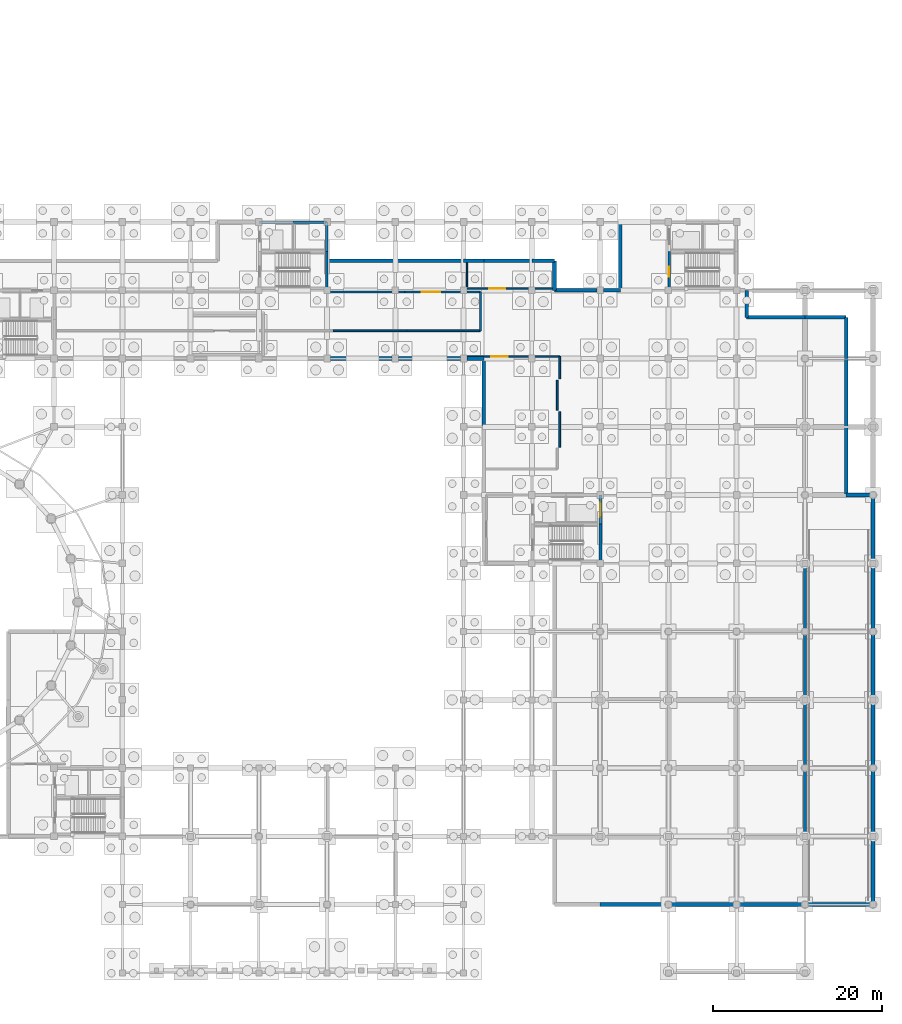
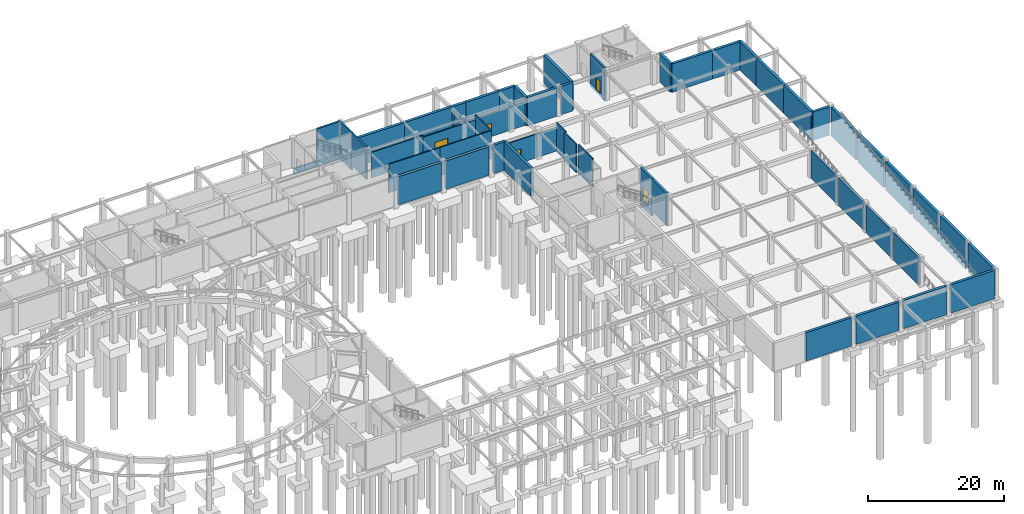
# One storey, part 19 of 26: 54 walls, 5 doors, 5 openings.
"""IFC4 building model written with IfcOpenShell, lengths in metres."""

from ifc_helpers import new_model, si_unit, direction, frame, frame_2d, origin, place, context, subcontext, project, spatial, rectangle, extrude, material, layer, layer_set, type_object, element, fill, save


model = new_model("IFC4")

# Units and contexts
model_context = context("Model", 3, precision=1e-05, world=origin(), true_north=direction((0.0, 1.0)))
body_context = subcontext(model_context, "Body", "Model", "MODEL_VIEW")
ifc_project = project(units=[si_unit("LENGTHUNIT", "METRE"), si_unit("AREAUNIT", "SQUARE_METRE"), si_unit("VOLUMEUNIT", "CUBIC_METRE"), si_unit("PLANEANGLEUNIT", "RADIAN"), si_unit("MASSUNIT", "GRAM", prefix="KILO")], contexts=[model_context])

# Site, building, storey
site_placement = place(None, origin())
site = spatial("IfcSite", under=ifc_project, at=site_placement, CompositionType="ELEMENT")
building_placement = place(site_placement, origin())
building = spatial("IfcBuilding", under=site, at=building_placement, Name="Parian Resonance Hall", CompositionType="ELEMENT")
storey_placement = place(building_placement, frame((0.0, 0.0, -5.39990234375)))
storey = spatial("IfcBuildingStorey", under=building, at=storey_placement, Name="B1", CompositionType="ELEMENT", Elevation=-5.39990234375)

# Walls
ifc_material_1 = material(Name="Concrete C40/50", Category="concrete")
ifc_layer_1 = layer(ifc_material_1, 0.31005859375)
ifc_layer_set_1 = layer_set([ifc_layer_1], Name="Concrete C40/50")
wall_type_1 = type_object("IfcWallType", Name="CW310", PredefinedType="SHEAR", material=ifc_layer_set_1)
wall_1_placement = place(storey_placement, frame((97.169921875, 85.610107421875, -1.35009765625), z_axis=(0.0, 0.0, 1.0), x_axis=(0.0, 1.0, 0.0)))
element("IfcWall", 1, at=wall_1_placement, inside=storey, type_object=wall_type_1, Name="Lift pit wall K5-2", PredefinedType="SHEAR", context=body_context, shape_type="SweptSolid", body=[
    extrude(rectangle(XDim=3.489990234375, YDim=0.31005859375, at=frame_2d((1.7451171875, 0.0))), origin(), (0.0, 0.0, 1.0), 0.949951171875),
])
wall_2_placement = place(storey_placement, frame((97.169921875, 89.10009765625, -1.35009765625), z_axis=(0.0, 0.0, 1.0), x_axis=(-1.0, 0.0, 0.0)))
element("IfcWall", 2, at=wall_2_placement, inside=storey, type_object=wall_type_1, Name="Lift pit wall K5-3", PredefinedType="SHEAR", context=body_context, shape_type="SweptSolid", body=[
    extrude(rectangle(XDim=7.97998046875, YDim=0.31005859375, at=frame_2d((3.989990234375, 0.0))), origin(), (0.0, 0.0, 1.0), 0.949951171875),
])
wall_3_placement = place(storey_placement, frame((93.14990234375, 89.10009765625, -0.400146484375), z_axis=(0.0, 0.0, 1.0), x_axis=(1.0, 0.0, 0.0)))
element("IfcWall", 3, at=wall_3_placement, inside=storey, type_object=wall_type_1, Name="Core K5 north-east shaft wall B1", PredefinedType="SHEAR", context=body_context, shape_type="SweptSolid", body=[
    extrude(rectangle(XDim=4.02001953125, YDim=0.31005859375, at=frame_2d((2.010009765625, 0.0))), origin(), (0.0, 0.0, 1.0), 5.800048828125),
])
wall_4_placement = place(storey_placement, frame((97.169921875, 89.10009765625, -0.400146484375), z_axis=(0.0, 0.0, 1.0), x_axis=(0.0, -1.0, 0.0)))
element("IfcWall", 4, at=wall_4_placement, inside=storey, type_object=wall_type_1, Name="Core K5 east shaft wall B1", PredefinedType="SHEAR", context=body_context, shape_type="SweptSolid", body=[
    extrude(rectangle(XDim=3.489990234375, YDim=0.31005859375, at=frame_2d((1.7451171875, 0.0))), origin(), (0.0, 0.0, 1.0), 5.800048828125),
])
wall_5_placement = place(storey_placement, frame((97.169921875, 85.610107421875, -0.400146484375), z_axis=(0.0, 0.0, 1.0), x_axis=(0.0, -1.0, 0.0)))
element("IfcWall", 5, at=wall_5_placement, inside=storey, type_object=wall_type_1, Name="Core K5 stairwell east wall B1", PredefinedType="SHEAR", context=body_context, shape_type="SweptSolid", body=[
    extrude(rectangle(XDim=4.360107421875, YDim=0.31005859375, at=frame_2d((2.18017578125, 0.0))), origin(), (0.0, 0.0, 1.0), 5.800048828125),
])

# Wall, opening, door
wall_6_placement = place(storey_placement, frame((137.7900390625, 81.25, -0.400146484375), z_axis=(0.0, 0.0, 1.0), x_axis=(0.0, 1.0, 0.0)))
wall_6 = element("IfcWall", 6, at=wall_6_placement, inside=storey, type_object=wall_type_1, Name="Core K6 stairwell west shear wall B1", PredefinedType="SHEAR", context=body_context, shape_type="SweptSolid", body=[
    extrude(rectangle(XDim=4.360107421875, YDim=0.31005859375, at=frame_2d((2.18017578125, 0.0))), origin(), (0.0, 0.0, 1.0), 5.800048828125),
])
opening_1_placement = place(wall_6_placement, frame((1.35009765625, 0.0, 0.39990234375)))
opening_1 = element("IfcOpeningElement", 7, at=opening_1_placement, cuts=wall_6, Name="Opening FD-01", PredefinedType="OPENING", context=body_context, shape_type="SweptSolid", body=[
    extrude(rectangle(XDim=1.199951171875, YDim=2.25, at=frame_2d((0.60009765625, 1.125))), frame((0.0, 0.1650390625, 0.0), z_axis=(0.0, -1.0, 0.0), x_axis=(1.0, 0.0, 0.0)), (0.0, 0.0, 1.0), 0.330078125),
])
ifc_material_2 = material(Name="Fire-rated acoustic steel and narra timber door", Category="steel")
door_type_1 = type_object("IfcDoorType", Name="FD-01", OperationType="NOTDEFINED", PredefinedType="DOOR", material=ifc_material_2)
door_1_placement = place(opening_1_placement, origin())
door_1 = element("IfcDoor", 8, at=door_1_placement, inside=storey, type_object=door_type_1, Name="Exit stair ST-06 fire door B1", OperationType="SINGLE_SWING_LEFT", OverallHeight=2.25, OverallWidth=1.199951171875, PredefinedType="DOOR", context=body_context, shape_type="SweptSolid", body=[
    extrude(rectangle(XDim=1.199951171875, YDim=2.25, at=frame_2d((0.60009765625, 1.125))), frame((0.0, 0.02490234375, 0.0), z_axis=(0.0, -1.0, 0.0), x_axis=(1.0, 0.0, 0.0)), (0.0, 0.0, 1.0), 0.050048828125),
])
fill(opening_1, door_1)

# Wall
ifc_material_3 = material(Name="Concrete C40/50", Category="concrete")
ifc_layer_2 = layer(ifc_material_3, 0.35009765625)
ifc_layer_set_2 = layer_set([ifc_layer_2], Name="Concrete C40/50")
wall_type_2 = type_object("IfcWallType", Name="CW350", PredefinedType="SHEAR", material=ifc_layer_set_2)
wall_7_placement = place(storey_placement, frame((129.6298828125, 53.25, -1.35009765625), z_axis=(0.0, 0.0, 1.0), x_axis=(0.0, 1.0, 0.0)))
element("IfcWall", 9, at=wall_7_placement, inside=storey, type_object=wall_type_2, Name="Lift pit wall K2-2", PredefinedType="SHEAR", context=body_context, shape_type="SweptSolid", body=[
    extrude(rectangle(XDim=3.449951171875, YDim=0.35009765625, at=frame_2d((1.72509765625, 0.0))), origin(), (0.0, 0.0, 1.0), 0.949951171875),
])

# Wall, opening, door
wall_8_placement = place(storey_placement, frame((129.6298828125, 56.699951171875, -0.400146484375), z_axis=(0.0, 0.0, 1.0), x_axis=(0.0, -1.0, 0.0)))
wall_8 = element("IfcWall", 10, at=wall_8_placement, inside=storey, type_object=wall_type_2, Name="Core K2 east shaft wall B1", PredefinedType="SHEAR", context=body_context, shape_type="SweptSolid", body=[
    extrude(rectangle(XDim=3.449951171875, YDim=0.35009765625, at=frame_2d((1.72509765625, 0.0))), origin(), (0.0, 0.0, 1.0), 5.800048828125),
])
opening_2_placement = place(wall_8_placement, frame((0.824951171875, 0.0, 0.39990234375)))
opening_2 = element("IfcOpeningElement", 11, at=opening_2_placement, cuts=wall_8, Name="Opening LD-02", PredefinedType="OPENING", context=body_context, shape_type="SweptSolid", body=[
    extrude(rectangle(XDim=1.800048828125, YDim=2.39990234375, at=frame_2d((0.89990234375, 1.199951171875))), frame((0.0, 0.18505859375, 0.0), z_axis=(0.0, -1.0, 0.0), x_axis=(1.0, 0.0, 0.0)), (0.0, 0.0, 1.0), 0.3701171875),
])
ifc_material_4 = material(Name="Stainless steel and bronze elevator cab", Category="steel")
door_type_2 = type_object("IfcDoorType", Name="DOOR-LIFT-1800x2400", OperationType="SLIDING_TO_LEFT", PredefinedType="DOOR", material=ifc_material_4)
door_2_placement = place(opening_2_placement, origin())
door_2 = element("IfcDoor", 12, at=door_2_placement, inside=storey, type_object=door_type_2, Name="Lift LF-07 sliding landing door B1", OperationType="SLIDING_TO_LEFT", OverallHeight=2.39990234375, OverallWidth=1.800048828125, PredefinedType="DOOR", context=body_context, shape_type="SweptSolid", body=[
    extrude(rectangle(XDim=1.800048828125, YDim=2.39990234375, at=frame_2d((0.89990234375, 1.199951171875))), frame((0.0, 0.02490234375, 0.0), z_axis=(0.0, -1.0, 0.0), x_axis=(1.0, 0.0, 0.0)), (0.0, 0.0, 1.0), 0.050048828125),
])
fill(opening_2, door_2)

# Walls
wall_9_placement = place(storey_placement, frame((129.6298828125, 53.25, -0.400146484375), z_axis=(0.0, 0.0, 1.0), x_axis=(0.0, -1.0, 0.0)))
element("IfcWall", 13, at=wall_9_placement, inside=storey, type_object=wall_type_2, Name="Core K2 stairwell east wall B1", PredefinedType="SHEAR", context=body_context, shape_type="SweptSolid", body=[
    extrude(rectangle(XDim=4.419921875, YDim=0.35009765625, at=frame_2d((2.2099609375, 0.0))), origin(), (0.0, 0.0, 1.0), 5.800048828125),
])
ifc_material_5 = material(Name="Concrete C35/45 waterproofed retaining wall", Category="concrete")
ifc_layer_3 = layer(ifc_material_5, 0.449951171875)
ifc_layer_set_3 = layer_set([ifc_layer_3], Name="Concrete C35/45 waterproofed retaining wall")
wall_type_3 = type_object("IfcWallType", Name="EW-RET-450", PredefinedType="USERDEFINED", material=ifc_layer_set_3)
wall_10_placement = place(storey_placement, frame((129.60009765625, 8.10009765625, 0.0), z_axis=(0.0, 0.0, 1.0), x_axis=(1.0, 0.0, 0.0)))
element("IfcWall", 14, at=wall_10_placement, inside=storey, type_object=wall_type_3, Name="Perimeter closure wall B1", ObjectType="RETAINING WALL", PredefinedType="USERDEFINED", context=body_context, shape_type="SweptSolid", body=[
    extrude(rectangle(XDim=7.75, YDim=0.449951171875, at=frame_2d((3.875, 0.0))), origin(), (0.0, 0.0, 1.0), 5.099853515625),
])
wall_11_placement = place(storey_placement, frame((138.050048828125, 8.10009765625, 0.0), z_axis=(0.0, 0.0, 1.0), x_axis=(1.0, 0.0, 0.0)))
element("IfcWall", 15, at=wall_11_placement, inside=storey, type_object=wall_type_3, Name="Perimeter closure wall B1", ObjectType="RETAINING WALL", PredefinedType="USERDEFINED", context=body_context, shape_type="SweptSolid", body=[
    extrude(rectangle(XDim=7.39990234375, YDim=0.449951171875, at=frame_2d((3.699951171875, 0.0))), origin(), (0.0, 0.0, 1.0), 5.099853515625),
])
wall_12_placement = place(storey_placement, frame((146.14990234375, 8.10009765625, 0.0), z_axis=(0.0, 0.0, 1.0), x_axis=(1.0, 0.0, 0.0)))
element("IfcWall", 16, at=wall_12_placement, inside=storey, type_object=wall_type_3, Name="Perimeter closure wall B1", ObjectType="RETAINING WALL", PredefinedType="USERDEFINED", context=body_context, shape_type="SweptSolid", body=[
    extrude(rectangle(XDim=7.400146484375, YDim=0.449951171875, at=frame_2d((3.7001953125, 0.0))), origin(), (0.0, 0.0, 1.0), 5.099853515625),
])
wall_13_placement = place(storey_placement, frame((154.25, 8.10009765625, 0.0), z_axis=(0.0, 0.0, 1.0), x_axis=(1.0, 0.0, 0.0)))
element("IfcWall", 17, at=wall_13_placement, inside=storey, type_object=wall_type_3, Name="Perimeter closure wall B1", ObjectType="RETAINING WALL", PredefinedType="USERDEFINED", context=body_context, shape_type="SweptSolid", body=[
    extrude(rectangle(XDim=7.39990234375, YDim=0.449951171875, at=frame_2d((3.699951171875, 0.0))), origin(), (0.0, 0.0, 1.0), 5.099853515625),
])
wall_14_placement = place(storey_placement, frame((162.0, 8.449951171875, 0.0), z_axis=(0.0, 0.0, 1.0), x_axis=(0.0, 1.0, 0.0)))
element("IfcWall", 18, at=wall_14_placement, inside=storey, type_object=wall_type_3, Name="Perimeter closure wall B1", ObjectType="RETAINING WALL", PredefinedType="USERDEFINED", context=body_context, shape_type="SweptSolid", body=[
    extrude(rectangle(XDim=7.400146484375, YDim=0.449951171875, at=frame_2d((3.7001953125, 0.0))), origin(), (0.0, 0.0, 1.0), 5.099853515625),
])
wall_15_placement = place(storey_placement, frame((162.0, 16.550048828125, 0.0), z_axis=(0.0, 0.0, 1.0), x_axis=(0.0, 1.0, 0.0)))
element("IfcWall", 19, at=wall_15_placement, inside=storey, type_object=wall_type_3, Name="Perimeter closure wall B1", ObjectType="RETAINING WALL", PredefinedType="USERDEFINED", context=body_context, shape_type="SweptSolid", body=[
    extrude(rectangle(XDim=7.39990234375, YDim=0.449951171875, at=frame_2d((3.699951171875, 0.0))), origin(), (0.0, 0.0, 1.0), 5.099853515625),
])
wall_16_placement = place(storey_placement, frame((162.0, 24.64990234375, 0.0), z_axis=(0.0, 0.0, 1.0), x_axis=(0.0, 1.0, 0.0)))
element("IfcWall", 20, at=wall_16_placement, inside=storey, type_object=wall_type_3, Name="Perimeter closure wall B1", ObjectType="RETAINING WALL", PredefinedType="USERDEFINED", context=body_context, shape_type="SweptSolid", body=[
    extrude(rectangle(XDim=7.400146484375, YDim=0.449951171875, at=frame_2d((3.7001953125, 0.0))), origin(), (0.0, 0.0, 1.0), 5.099853515625),
])
for number, where, z_axis, x_axis, name in (
    (21, (162.0, 32.75, 0.0), (0.0, 0.0, 1.0), (0.0, 1.0, 0.0), "Perimeter closure wall B1"),
    (22, (162.0, 40.85009765625, 0.0), (0.0, 0.0, 1.0), (0.0, 1.0, 0.0), "Perimeter closure wall B1"),
):
    element("IfcWall", number, at=place(storey_placement, frame(where, z_axis=z_axis, x_axis=x_axis)), inside=storey, type_object=wall_type_3, Name=name, ObjectType="RETAINING WALL", PredefinedType="USERDEFINED", context=body_context, shape_type="SweptSolid", body=[
        extrude(rectangle(XDim=7.39990234375, YDim=0.449951171875, at=frame_2d((3.699951171875, 0.0))), origin(), (0.0, 0.0, 1.0), 5.099853515625),
    ])
wall_17_placement = place(storey_placement, frame((162.0, 48.949951171875, 0.0), z_axis=(0.0, 0.0, 1.0), x_axis=(0.0, 1.0, 0.0)))
element("IfcWall", 23, at=wall_17_placement, inside=storey, type_object=wall_type_3, Name="Perimeter closure wall B1", ObjectType="RETAINING WALL", PredefinedType="USERDEFINED", context=body_context, shape_type="SweptSolid", body=[
    extrude(rectangle(XDim=7.400146484375, YDim=0.449951171875, at=frame_2d((3.7001953125, 0.0))), origin(), (0.0, 0.0, 1.0), 5.099853515625),
])
wall_18_placement = place(storey_placement, frame((161.64990234375, 56.699951171875, 0.0), z_axis=(0.0, 0.0, 1.0), x_axis=(-1.0, 0.0, 0.0)))
element("IfcWall", 24, at=wall_18_placement, inside=storey, type_object=wall_type_3, Name="Perimeter closure wall B1", ObjectType="RETAINING WALL", PredefinedType="USERDEFINED", context=body_context, shape_type="SweptSolid", body=[
    extrude(rectangle(XDim=2.849853515625, YDim=0.449951171875, at=frame_2d((1.4248046875, 0.0))), origin(), (0.0, 0.0, 1.0), 5.099853515625),
])
wall_19_placement = place(storey_placement, frame((158.800048828125, 56.699951171875, 0.0), z_axis=(0.0, 0.0, 1.0), x_axis=(0.0, 1.0, 0.0)))
element("IfcWall", 25, at=wall_19_placement, inside=storey, type_object=wall_type_3, Name="Perimeter closure wall B1", ObjectType="RETAINING WALL", PredefinedType="USERDEFINED", context=body_context, shape_type="SweptSolid", body=[
    extrude(rectangle(XDim=8.10009765625, YDim=0.449951171875, at=frame_2d((4.050048828125, 0.0))), origin(), (0.0, 0.0, 1.0), 5.099853515625),
])
wall_20_placement = place(storey_placement, frame((158.800048828125, 64.800048828125, 0.0), z_axis=(0.0, 0.0, 1.0), x_axis=(0.0, 1.0, 0.0)))
element("IfcWall", 26, at=wall_20_placement, inside=storey, type_object=wall_type_3, Name="Perimeter closure wall B1", ObjectType="RETAINING WALL", PredefinedType="USERDEFINED", context=body_context, shape_type="SweptSolid", body=[
    extrude(rectangle(XDim=8.099853515625, YDim=0.449951171875, at=frame_2d((4.0498046875, 0.0))), origin(), (0.0, 0.0, 1.0), 5.099853515625),
])
for number, where, z_axis, x_axis, name in (
    (27, (158.800048828125, 72.89990234375, 0.0), (0.0, 0.0, 1.0), (0.0, 1.0, 0.0), "Perimeter closure wall B1"),
    (28, (158.800048828125, 77.800048828125, 0.0), (0.0, 0.0, 1.0), (-1.0, 0.0, 0.0), "Perimeter closure wall B1"),
):
    element("IfcWall", number, at=place(storey_placement, frame(where, z_axis=z_axis, x_axis=x_axis)), inside=storey, type_object=wall_type_3, Name=name, ObjectType="RETAINING WALL", PredefinedType="USERDEFINED", context=body_context, shape_type="SweptSolid", body=[
        extrude(rectangle(XDim=4.900146484375, YDim=0.449951171875, at=frame_2d((2.4501953125, 0.0))), origin(), (0.0, 0.0, 1.0), 5.099853515625),
    ])
wall_21_placement = place(storey_placement, frame((153.89990234375, 77.800048828125, 0.0), z_axis=(0.0, 0.0, 1.0), x_axis=(-1.0, 0.0, 0.0)))
element("IfcWall", 29, at=wall_21_placement, inside=storey, type_object=wall_type_3, Name="Perimeter closure wall B1", ObjectType="RETAINING WALL", PredefinedType="USERDEFINED", context=body_context, shape_type="SweptSolid", body=[
    extrude(rectangle(XDim=6.89990234375, YDim=0.449951171875, at=frame_2d((3.449951171875, 0.0))), origin(), (0.0, 0.0, 1.0), 5.099853515625),
])
wall_22_placement = place(storey_placement, frame((147.0, 77.800048828125, 0.0), z_axis=(0.0, 0.0, 1.0), x_axis=(0.0, 1.0, 0.0)))
element("IfcWall", 30, at=wall_22_placement, inside=storey, type_object=wall_type_3, Name="Perimeter closure wall B1", ObjectType="RETAINING WALL", PredefinedType="USERDEFINED", context=body_context, shape_type="SweptSolid", body=[
    extrude(rectangle(XDim=3.199951171875, YDim=0.449951171875, at=frame_2d((1.60009765625, 0.0))), origin(), (0.0, 0.0, 1.0), 5.099853515625),
])
wall_23_placement = place(storey_placement, frame((132.0, 89.10009765625, 0.0), z_axis=(0.0, 0.0, 1.0), x_axis=(0.0, -1.0, 0.0)))
element("IfcWall", 31, at=wall_23_placement, inside=storey, type_object=wall_type_3, Name="Perimeter closure wall B1", ObjectType="RETAINING WALL", PredefinedType="USERDEFINED", context=body_context, shape_type="SweptSolid", body=[
    extrude(rectangle(XDim=8.10009765625, YDim=0.449951171875, at=frame_2d((4.050048828125, 0.0))), origin(), (0.0, 0.0, 1.0), 5.099853515625),
])
wall_24_placement = place(storey_placement, frame((132.0, 81.0, 0.0), z_axis=(0.0, 0.0, 1.0), x_axis=(-1.0, 0.0, 0.0)))
element("IfcWall", 32, at=wall_24_placement, inside=storey, type_object=wall_type_3, Name="Perimeter closure wall B1", ObjectType="RETAINING WALL", PredefinedType="USERDEFINED", context=body_context, shape_type="SweptSolid", body=[
    extrude(rectangle(XDim=2.0, YDim=0.449951171875, at=frame_2d((1.0, 0.0))), origin(), (0.0, 0.0, 1.0), 5.099853515625),
])
wall_25_placement = place(storey_placement, frame((129.199951171875, 81.0, 0.0), z_axis=(0.0, 0.0, 1.0), x_axis=(-1.0, 0.0, 0.0)))
element("IfcWall", 33, at=wall_25_placement, inside=storey, type_object=wall_type_3, Name="Perimeter closure wall B1", ObjectType="RETAINING WALL", PredefinedType="USERDEFINED", context=body_context, shape_type="SweptSolid", body=[
    extrude(rectangle(XDim=5.0, YDim=0.449951171875, at=frame_2d((2.5, 0.0))), origin(), (0.0, 0.0, 1.0), 5.099853515625),
])
wall_26_placement = place(storey_placement, frame((124.199951171875, 81.0, 0.0), z_axis=(0.0, 0.0, 1.0), x_axis=(0.0, 1.0, 0.0)))
element("IfcWall", 34, at=wall_26_placement, inside=storey, type_object=wall_type_3, Name="Perimeter closure wall B1", ObjectType="RETAINING WALL", PredefinedType="USERDEFINED", context=body_context, shape_type="SweptSolid", body=[
    extrude(rectangle(XDim=3.5, YDim=0.449951171875, at=frame_2d((1.75, 0.0))), origin(), (0.0, 0.0, 1.0), 5.099853515625),
])
wall_27_placement = place(storey_placement, frame((124.199951171875, 84.5, 0.0), z_axis=(0.0, 0.0, 1.0), x_axis=(-1.0, 0.0, 0.0)))
element("IfcWall", 35, at=wall_27_placement, inside=storey, type_object=wall_type_3, Name="Perimeter closure wall B1", ObjectType="RETAINING WALL", PredefinedType="USERDEFINED", context=body_context, shape_type="SweptSolid", body=[
    extrude(rectangle(XDim=2.699951171875, YDim=0.449951171875, at=frame_2d((1.35009765625, 0.0))), origin(), (0.0, 0.0, 1.0), 5.099853515625),
])
wall_28_placement = place(storey_placement, frame((121.5, 84.5, 0.0), z_axis=(0.0, 0.0, 1.0), x_axis=(-1.0, 0.0, 0.0)))
element("IfcWall", 36, at=wall_28_placement, inside=storey, type_object=wall_type_3, Name="Perimeter closure wall B1", ObjectType="RETAINING WALL", PredefinedType="USERDEFINED", context=body_context, shape_type="SweptSolid", body=[
    extrude(rectangle(XDim=5.699951171875, YDim=0.449951171875, at=frame_2d((2.85009765625, 0.0))), origin(), (0.0, 0.0, 1.0), 5.099853515625),
])
wall_29_placement = place(storey_placement, frame((115.800048828125, 84.5, 0.0), z_axis=(0.0, 0.0, 1.0), x_axis=(-1.0, 0.0, 0.0)))
element("IfcWall", 37, at=wall_29_placement, inside=storey, type_object=wall_type_3, Name="Perimeter closure wall B1", ObjectType="RETAINING WALL", PredefinedType="USERDEFINED", context=body_context, shape_type="SweptSolid", body=[
    extrude(rectangle(XDim=2.400146484375, YDim=0.449951171875, at=frame_2d((1.2001953125, 0.0))), origin(), (0.0, 0.0, 1.0), 5.099853515625),
])
wall_30_placement = place(storey_placement, frame((113.39990234375, 84.5, 0.0), z_axis=(0.0, 0.0, 1.0), x_axis=(-1.0, 0.0, 0.0)))
element("IfcWall", 38, at=wall_30_placement, inside=storey, type_object=wall_type_3, Name="Perimeter closure wall B1", ObjectType="RETAINING WALL", PredefinedType="USERDEFINED", context=body_context, shape_type="SweptSolid", body=[
    extrude(rectangle(XDim=8.099853515625, YDim=0.449951171875, at=frame_2d((4.0498046875, 0.0))), origin(), (0.0, 0.0, 1.0), 5.099853515625),
])
wall_31_placement = place(storey_placement, frame((105.300048828125, 84.5, 0.0), z_axis=(0.0, 0.0, 1.0), x_axis=(-1.0, 0.0, 0.0)))
element("IfcWall", 39, at=wall_31_placement, inside=storey, type_object=wall_type_3, Name="Perimeter closure wall B1", ObjectType="RETAINING WALL", PredefinedType="USERDEFINED", context=body_context, shape_type="SweptSolid", body=[
    extrude(rectangle(XDim=8.10009765625, YDim=0.449951171875, at=frame_2d((4.050048828125, 0.0))), origin(), (0.0, 0.0, 1.0), 5.099853515625),
])
wall_32_placement = place(storey_placement, frame((97.60009765625, 72.89990234375, 0.0), z_axis=(0.0, 0.0, 1.0), x_axis=(1.0, 0.0, 0.0)))
element("IfcWall", 40, at=wall_32_placement, inside=storey, type_object=wall_type_3, Name="Perimeter closure wall B1", ObjectType="RETAINING WALL", PredefinedType="USERDEFINED", context=body_context, shape_type="SweptSolid", body=[
    extrude(rectangle(XDim=7.2998046875, YDim=0.449951171875, at=frame_2d((3.64990234375, 0.0))), origin(), (0.0, 0.0, 1.0), 5.099853515625),
])
wall_33_placement = place(storey_placement, frame((105.699951171875, 72.89990234375, 0.0), z_axis=(0.0, 0.0, 1.0), x_axis=(1.0, 0.0, 0.0)))
element("IfcWall", 41, at=wall_33_placement, inside=storey, type_object=wall_type_3, Name="Perimeter closure wall B1", ObjectType="RETAINING WALL", PredefinedType="USERDEFINED", context=body_context, shape_type="SweptSolid", body=[
    extrude(rectangle(XDim=7.300048828125, YDim=0.449951171875, at=frame_2d((3.64990234375, 0.0))), origin(), (0.0, 0.0, 1.0), 5.099853515625),
])
wall_34_placement = place(storey_placement, frame((113.800048828125, 72.89990234375, 0.0), z_axis=(0.0, 0.0, 1.0), x_axis=(1.0, 0.0, 0.0)))
element("IfcWall", 42, at=wall_34_placement, inside=storey, type_object=wall_type_3, Name="Perimeter closure wall B1", ObjectType="RETAINING WALL", PredefinedType="USERDEFINED", context=body_context, shape_type="SweptSolid", body=[
    extrude(rectangle(XDim=2.0, YDim=0.449951171875, at=frame_2d((1.0, 0.0))), origin(), (0.0, 0.0, 1.0), 5.099853515625),
])
wall_35_placement = place(storey_placement, frame((115.800048828125, 72.89990234375, 0.0), z_axis=(0.0, 0.0, 1.0), x_axis=(0.0, -1.0, 0.0)))
element("IfcWall", 43, at=wall_35_placement, inside=storey, type_object=wall_type_3, Name="Perimeter closure wall B1", ObjectType="RETAINING WALL", PredefinedType="USERDEFINED", context=body_context, shape_type="SweptSolid", body=[
    extrude(rectangle(XDim=8.099853515625, YDim=0.449951171875, at=frame_2d((4.0498046875, 0.0))), origin(), (0.0, 0.0, 1.0), 5.099853515625),
])
ifc_material_6 = material(Name="Concrete C35/45 with Carcar coral-limestone ashlar", Category="masonry")
ifc_layer_4 = layer(ifc_material_6, 0.340087890625)
ifc_layer_set_4 = layer_set([ifc_layer_4], Name="Concrete C35/45 with Carcar coral-limestone ashlar")
wall_type_4 = type_object("IfcWallType", Name="EW-STONE-340", PredefinedType="SOLIDWALL", material=ifc_layer_set_4)
wall_36_placement = place(storey_placement, frame((153.89990234375, 16.550048828125, 0.0), z_axis=(0.0, 0.0, 1.0), x_axis=(0.0, 1.0, 0.0)))
element("IfcWall", 44, at=wall_36_placement, inside=storey, type_object=wall_type_4, Name="Basement vehicle ramp west wall 2", PredefinedType="SOLIDWALL", context=body_context, shape_type="SweptSolid", body=[
    extrude(rectangle(XDim=7.39990234375, YDim=0.340087890625, at=frame_2d((3.699951171875, 0.0))), origin(), (0.0, 0.0, 1.0), 5.039794921875),
])
wall_37_placement = place(storey_placement, frame((153.89990234375, 24.64990234375, 0.0), z_axis=(0.0, 0.0, 1.0), x_axis=(0.0, 1.0, 0.0)))
element("IfcWall", 45, at=wall_37_placement, inside=storey, type_object=wall_type_4, Name="Basement vehicle ramp west wall 3", PredefinedType="SOLIDWALL", context=body_context, shape_type="SweptSolid", body=[
    extrude(rectangle(XDim=7.400146484375, YDim=0.340087890625, at=frame_2d((3.7001953125, 0.0))), origin(), (0.0, 0.0, 1.0), 5.039794921875),
])
for number, where, z_axis, x_axis, name in (
    (46, (153.89990234375, 32.75, 0.0), (0.0, 0.0, 1.0), (0.0, 1.0, 0.0), "Basement vehicle ramp west wall 4"),
    (47, (153.89990234375, 40.85009765625, 0.0), (0.0, 0.0, 1.0), (0.0, 1.0, 0.0), "Basement vehicle ramp west wall 5"),
):
    element("IfcWall", number, at=place(storey_placement, frame(where, z_axis=z_axis, x_axis=x_axis)), inside=storey, type_object=wall_type_4, Name=name, PredefinedType="SOLIDWALL", context=body_context, shape_type="SweptSolid", body=[
        extrude(rectangle(XDim=7.39990234375, YDim=0.340087890625, at=frame_2d((3.699951171875, 0.0))), origin(), (0.0, 0.0, 1.0), 5.039794921875),
    ])
ifc_material_7 = material(Name="Concrete C35/45 fire barrier", Category="concrete")
ifc_layer_5 = layer(ifc_material_7, 0.199951171875)
ifc_layer_set_5 = layer_set([ifc_layer_5], Name="Concrete C35/45 fire barrier")
wall_type_5 = type_object("IfcWallType", Name="FW200", PredefinedType="PARTITIONING", material=ifc_layer_set_5)
wall_38_placement = place(storey_placement, frame((115.39990234375, 80.800048828125, 0.0), z_axis=(0.0, 0.0, 1.0), x_axis=(0.0, -1.0, 0.0)))
element("IfcWall", 48, at=wall_38_placement, inside=storey, type_object=wall_type_5, Name="Interior acoustic partition IW-B1-0008", PredefinedType="PARTITIONING", context=body_context, shape_type="SweptSolid", body=[
    extrude(rectangle(XDim=4.60009765625, YDim=0.199951171875, at=frame_2d((2.300048828125, 0.0))), origin(), (0.0, 0.0, 1.0), 5.119873046875),
])
wall_39_placement = place(storey_placement, frame((115.39990234375, 76.199951171875, 0.0), z_axis=(0.0, 0.0, 1.0), x_axis=(-1.0, 0.0, 0.0)))
element("IfcWall", 49, at=wall_39_placement, inside=storey, type_object=wall_type_5, Name="Interior acoustic partition IW-B1-0009", PredefinedType="PARTITIONING", context=body_context, shape_type="SweptSolid", body=[
    extrude(rectangle(XDim=8.733154296875, YDim=0.199951171875, at=frame_2d((4.36669921875, 0.0))), origin(), (0.0, 0.0, 1.0), 5.119873046875),
])
wall_40_placement = place(storey_placement, frame((106.666748046875, 76.199951171875, 0.0), z_axis=(0.0, 0.0, 1.0), x_axis=(-1.0, 0.0, 0.0)))
element("IfcWall", 50, at=wall_40_placement, inside=storey, type_object=wall_type_5, Name="Interior acoustic partition IW-B1-0010", PredefinedType="PARTITIONING", context=body_context, shape_type="SweptSolid", body=[
    extrude(rectangle(XDim=8.7333984375, YDim=0.199951171875, at=frame_2d((4.36669921875, 0.0))), origin(), (0.0, 0.0, 1.0), 5.119873046875),
])
wall_41_placement = place(storey_placement, frame((97.6201171875, 80.800048828125, 0.0), z_axis=(0.0, 0.0, 1.0), x_axis=(1.0, 0.0, 0.0)))
element("IfcWall", 51, at=wall_41_placement, inside=storey, type_object=wall_type_5, Name="Interior acoustic partition IW-B1-0012", PredefinedType="PARTITIONING", context=body_context, shape_type="SweptSolid", body=[
    extrude(rectangle(XDim=8.77880859375, YDim=0.199951171875, at=frame_2d((4.389404296875, 0.0))), origin(), (0.0, 0.0, 1.0), 4.5908203125),
])

# Wall, opening, door
wall_42_placement = place(storey_placement, frame((106.39892578125, 80.800048828125, 0.0), z_axis=(0.0, 0.0, 1.0), x_axis=(1.0, 0.0, 0.0)))
wall_42 = element("IfcWall", 52, at=wall_42_placement, inside=storey, type_object=wall_type_5, Name="Interior acoustic partition IW-B1-0013", PredefinedType="PARTITIONING", context=body_context, shape_type="SweptSolid", body=[
    extrude(rectangle(XDim=9.0009765625, YDim=0.199951171875, at=frame_2d((4.50048828125, 0.0))), origin(), (0.0, 0.0, 1.0), 4.25390625),
])
opening_3_placement = place(wall_42_placement, frame((2.05029296875, 0.0, 0.0)))
opening_3 = element("IfcOpeningElement", 53, at=opening_3_placement, cuts=wall_42, Name="Opening ID-01", PredefinedType="OPENING", context=body_context, shape_type="SweptSolid", body=[
    extrude(rectangle(XDim=2.199951171875, YDim=2.60009765625, at=frame_2d((1.10009765625, 1.300048828125))), frame((0.0, 0.10986328125, 0.0), z_axis=(0.0, -1.0, 0.0), x_axis=(1.0, 0.0, 0.0)), (0.0, 0.0, 1.0), 0.219970703125),
])
ifc_material_8 = material(Name="Fire-rated acoustic steel and narra timber door", Category="steel")
door_type_3 = type_object("IfcDoorType", Name="ID-HALL-2200x2600", OperationType="NOTDEFINED", PredefinedType="DOOR", material=ifc_material_8)
door_3_placement = place(opening_3_placement, origin())
door_3 = element("IfcDoor", 54, at=door_3_placement, inside=storey, type_object=door_type_3, Name="Chilled Water Mechanical Plant door", OperationType="DOUBLE_DOOR_SINGLE_SWING", OverallHeight=2.60009765625, OverallWidth=2.199951171875, PredefinedType="DOOR", context=body_context, shape_type="SweptSolid", body=[
    extrude(rectangle(XDim=2.199951171875, YDim=2.60009765625, at=frame_2d((1.10009765625, 1.300048828125))), frame((0.0, 0.02490234375, 0.0), z_axis=(0.0, -1.0, 0.0), x_axis=(1.0, 0.0, 0.0)), (0.0, 0.0, 1.0), 0.050048828125),
])
fill(opening_3, door_3)

# Walls
wall_43_placement = place(storey_placement, frame((124.510009765625, 70.35009765625, 0.0), z_axis=(0.0, 0.0, 1.0), x_axis=(0.0, -1.0, 0.0)))
element("IfcWall", 55, at=wall_43_placement, inside=storey, type_object=wall_type_5, Name="Interior acoustic partition IW-B1-0014", PredefinedType="PARTITIONING", context=body_context, shape_type="SweptSolid", body=[
    extrude(rectangle(XDim=3.60009765625, YDim=0.199951171875, at=frame_2d((1.800048828125, 0.0))), origin(), (0.0, 0.0, 1.0), 5.119873046875),
])
wall_44_placement = place(storey_placement, frame((124.800048828125, 66.610107421875, 0.0), z_axis=(0.0, 0.0, 1.0), x_axis=(0.0, -1.0, 0.0)))
element("IfcWall", 56, at=wall_44_placement, inside=storey, type_object=wall_type_5, Name="Interior acoustic partition IW-B1-0015", PredefinedType="PARTITIONING", context=body_context, shape_type="SweptSolid", body=[
    extrude(rectangle(XDim=4.22021484375, YDim=0.199951171875, at=frame_2d((2.110107421875, 0.0))), origin(), (0.0, 0.0, 1.0), 5.119873046875),
])

# Wall, opening, door
wall_45_placement = place(storey_placement, frame((113.820068359375, 73.159912109375, 0.0), z_axis=(0.0, 0.0, 1.0), x_axis=(1.0, 0.0, 0.0)))
wall_45 = element("IfcWall", 57, at=wall_45_placement, inside=storey, type_object=wall_type_5, Name="Interior acoustic partition IW-B1-0018", PredefinedType="PARTITIONING", context=body_context, shape_type="SweptSolid", body=[
    extrude(rectangle(XDim=10.97998046875, YDim=0.199951171875, at=frame_2d((5.489990234375, 0.0))), origin(), (0.0, 0.0, 1.0), 4.25390625),
])
opening_4_placement = place(wall_45_placement, frame((2.843017578125, 0.0, 0.0)))
opening_4 = element("IfcOpeningElement", 58, at=opening_4_placement, cuts=wall_45, Name="Opening ID-02", PredefinedType="OPENING", context=body_context, shape_type="SweptSolid", body=[
    extrude(rectangle(XDim=2.0, YDim=2.5, at=frame_2d((1.0, 1.25))), frame((0.0, 0.10986328125, 0.0), z_axis=(0.0, -1.0, 0.0), x_axis=(1.0, 0.0, 0.0)), (0.0, 0.0, 1.0), 0.219970703125),
])
ifc_material_9 = material(Name="Fire-rated acoustic steel and narra timber door", Category="steel")
door_type_4 = type_object("IfcDoorType", Name="ID-HALL-2000x2500", OperationType="NOTDEFINED", PredefinedType="DOOR", material=ifc_material_9)
door_4_placement = place(opening_4_placement, origin())
door_4 = element("IfcDoor", 59, at=door_4_placement, inside=storey, type_object=door_type_4, Name="Emergency Acoustic Generator Plant door", OperationType="DOUBLE_DOOR_SINGLE_SWING", OverallHeight=2.5, OverallWidth=2.0, PredefinedType="DOOR", context=body_context, shape_type="SweptSolid", body=[
    extrude(rectangle(XDim=2.0, YDim=2.5, at=frame_2d((1.0, 1.25))), frame((0.0, 0.02490234375, 0.0), z_axis=(0.0, -1.0, 0.0), x_axis=(1.0, 0.0, 0.0)), (0.0, 0.0, 1.0), 0.050048828125),
])
fill(opening_4, door_4)

# Wall
wall_46_placement = place(storey_placement, frame((124.800048828125, 73.159912109375, 0.0), z_axis=(0.0, 0.0, 1.0), x_axis=(0.0, -1.0, 0.0)))
element("IfcWall", 60, at=wall_46_placement, inside=storey, type_object=wall_type_5, Name="Interior acoustic partition IW-B1-0019", PredefinedType="PARTITIONING", context=body_context, shape_type="SweptSolid", body=[
    extrude(rectangle(XDim=2.669921875, YDim=0.199951171875, at=frame_2d((1.3349609375, 0.0))), origin(), (0.0, 0.0, 1.0), 5.119873046875),
])

# Wall, opening, door
wall_47_placement = place(storey_placement, frame((123.97998046875, 81.199951171875, 0.0), z_axis=(0.0, 0.0, 1.0), x_axis=(-1.0, 0.0, 0.0)))
wall_47 = element("IfcWall", 61, at=wall_47_placement, inside=storey, type_object=wall_type_5, Name="Interior acoustic partition IW-B1-0020", PredefinedType="PARTITIONING", context=body_context, shape_type="SweptSolid", body=[
    extrude(rectangle(XDim=10.159912109375, YDim=0.199951171875, at=frame_2d((5.080078125, 0.0))), origin(), (0.0, 0.0, 1.0), 4.15380859375),
])
opening_5_placement = place(wall_47_placement, frame((5.654052734375, 0.0, 0.0)))
opening_5 = element("IfcOpeningElement", 62, at=opening_5_placement, cuts=wall_47, Name="Opening ID-03", PredefinedType="OPENING", context=body_context, shape_type="SweptSolid", body=[
    extrude(rectangle(XDim=1.89990234375, YDim=2.39990234375, at=frame_2d((0.949951171875, 1.199951171875))), frame((0.0, 0.10986328125, 0.0), z_axis=(0.0, -1.0, 0.0), x_axis=(1.0, 0.0, 0.0)), (0.0, 0.0, 1.0), 0.219970703125),
])
ifc_material_10 = material(Name="Fire-rated acoustic steel and narra timber door", Category="steel")
door_type_5 = type_object("IfcDoorType", Name="ID-HALL-1900x2400", OperationType="NOTDEFINED", PredefinedType="DOOR", material=ifc_material_10)
door_5_placement = place(opening_5_placement, origin())
door_5 = element("IfcDoor", 63, at=door_5_placement, inside=storey, type_object=door_type_5, Name="Piano Maintenance Workshop door", OperationType="DOUBLE_DOOR_SINGLE_SWING", OverallHeight=2.39990234375, OverallWidth=1.89990234375, PredefinedType="DOOR", context=body_context, shape_type="SweptSolid", body=[
    extrude(rectangle(XDim=1.89990234375, YDim=2.39990234375, at=frame_2d((0.949951171875, 1.199951171875))), frame((0.0, 0.02490234375, 0.0), z_axis=(0.0, -1.0, 0.0), x_axis=(1.0, 0.0, 0.0)), (0.0, 0.0, 1.0), 0.050048828125),
])
fill(opening_5, door_5)

# Wall
ifc_material_11 = material(Name="Concrete C35/45 acoustic masonry partition", Category="masonry")
ifc_layer_6 = layer(ifc_material_11, 0.139892578125)
ifc_layer_set_6 = layer_set([ifc_layer_6], Name="Concrete C35/45 acoustic masonry partition")
wall_type_6 = type_object("IfcWallType", Name="PW140", PredefinedType="PARTITIONING", material=ifc_layer_set_6)
wall_48_placement = place(storey_placement, frame((113.800048828125, 81.419921875, 0.0), z_axis=(0.0, 0.0, 1.0), x_axis=(0.0, 1.0, 0.0)))
element("IfcWall", 64, at=wall_48_placement, inside=storey, type_object=wall_type_6, Name="Interior acoustic partition IW-B1-0021", PredefinedType="PARTITIONING", context=body_context, shape_type="SweptSolid", body=[
    extrude(rectangle(XDim=2.860107421875, YDim=0.139892578125, at=frame_2d((1.43017578125, 0.0))), origin(), (0.0, 0.0, 1.0), 4.35400390625),
])

save(model, "model.ifc")
